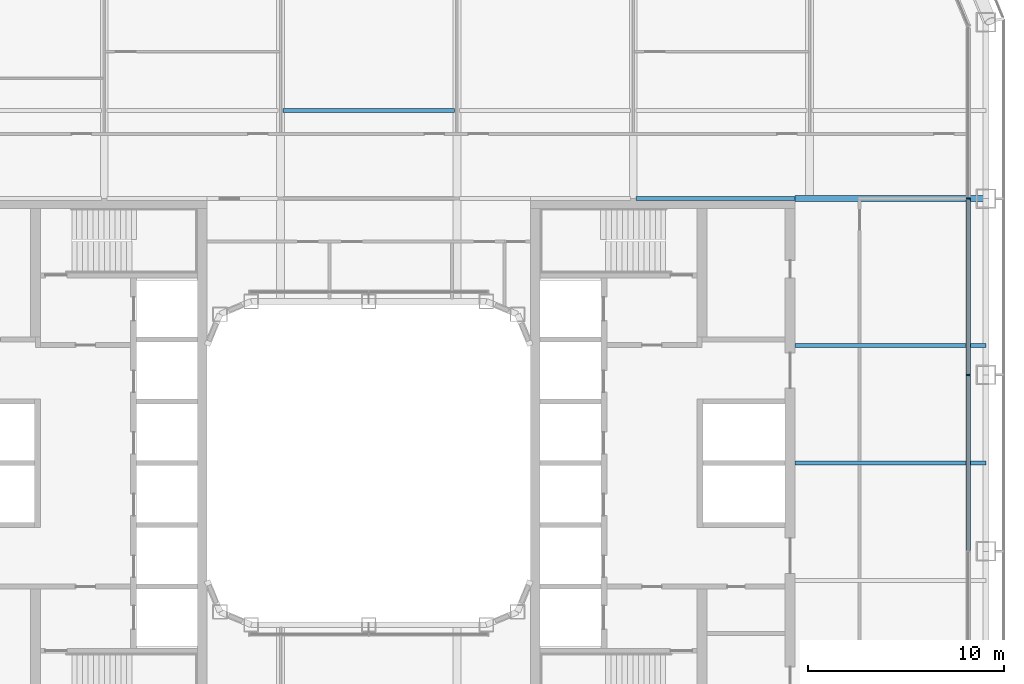
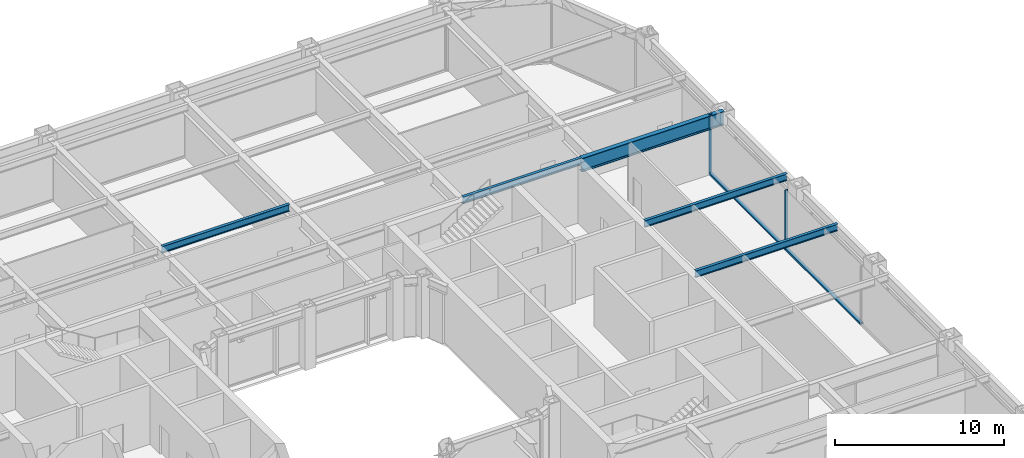
# One storey, part 9 of 27: 5 beams, 4 members, 1 element without a shape of its own.
"""IFC4 building model written with IfcOpenShell, lengths in metres."""

from ifc_helpers import new_model, si_unit, direction, frame, origin, origin_2d, place, context, subcontext, project, spatial, rectangle, i_section, extrude, material, layer, layer_set, material_profile, profile_set, type_object, element, aggregate, save


model = new_model("IFC4")

# Units and contexts
model_context = context("Model", 3, precision=1e-05, world=origin(), true_north=direction((0.0, 1.0)))
body_context = subcontext(model_context, "Body", "Model", "MODEL_VIEW")
ifc_project = project(units=[si_unit("LENGTHUNIT", "METRE"), si_unit("AREAUNIT", "SQUARE_METRE"), si_unit("VOLUMEUNIT", "CUBIC_METRE"), si_unit("PLANEANGLEUNIT", "RADIAN"), si_unit("MASSUNIT", "GRAM", prefix="KILO")], contexts=[model_context])

# Site, building, storey
site_placement = place(None, origin())
site = spatial("IfcSite", under=ifc_project, at=site_placement, CompositionType="ELEMENT")
building_placement = place(site_placement, origin())
building = spatial("IfcBuilding", under=site, at=building_placement, Name="Siwar Civic Tower", CompositionType="ELEMENT")
storey_placement = place(building_placement, frame((0.0, 0.0, 89.699951171875)))
storey = spatial("IfcBuildingStorey", under=building, at=storey_placement, Name="L19", CompositionType="ELEMENT", Elevation=89.699951171875)

# Curtain wall, members
ifc_material_1 = material(Name="Aluminium and glass", Category="aluminium")
ifc_layer = layer(ifc_material_1, 0.219970703125)
ifc_layer_set = layer_set([ifc_layer], Name="Aluminium and glass")
curtain_wall_type = type_object("IfcCurtainWallType", Name="ENV-CW-A", PredefinedType="NOTDEFINED", material=ifc_layer_set)
curtain_wall_placement = place(storey_placement, origin())
curtain_wall = element("IfcCurtainWall", 1, at=curtain_wall_placement, inside=storey, type_object=curtain_wall_type, Name="Curtain wall A E", PredefinedType="NOTDEFINED")
ifc_material_2 = material(Name="Aluminium 6063-T6", Category="aluminium")
ifc_material_profile_1 = material_profile(ifc_material_2, rectangle(XDim=0.219970703125, YDim=0.070068359375, at=origin_2d()), Name="AL 220x70")
ifc_profile_set_1 = profile_set([ifc_material_profile_1], Name="Aluminium 6063-T6")
member_type_1 = type_object("IfcMemberType", Name="ENV-MULLION-A", PredefinedType="MULLION", material=ifc_profile_set_1)
member_1_placement = place(storey_placement, frame((30.60009765625, 4.5, 0.0), z_axis=(0.0, 0.0, 1.0), x_axis=(-1.0, 0.0, 0.0)))
member_1 = element("IfcMember", 2, at=member_1_placement, type_object=member_type_1, Name="Mullion A E 4", PredefinedType="MULLION", context=body_context, shape_type="SweptSolid", body=[
    extrude(rectangle(XDim=0.219970703125, YDim=0.070068359375, at=origin_2d()), origin(), (0.0, 0.0, 1.0), 4.300048828125),
])
member_2_placement = place(storey_placement, frame((30.60009765625, 13.5, 0.0), z_axis=(0.0, 0.0, 1.0), x_axis=(-1.0, 0.0, 0.0)))
member_2 = element("IfcMember", 3, at=member_2_placement, type_object=member_type_1, Name="Mullion A E 5", PredefinedType="MULLION", context=body_context, shape_type="SweptSolid", body=[
    extrude(rectangle(XDim=0.219970703125, YDim=0.070068359375, at=origin_2d()), origin(), (0.0, 0.0, 1.0), 4.300048828125),
])
ifc_material_3 = material(Name="Aluminium 6063-T6", Category="aluminium")
ifc_material_profile_2 = material_profile(ifc_material_3, rectangle(XDim=0.219970703125, YDim=0.1201171875, at=origin_2d()), Name="AL 220x120")
ifc_profile_set_2 = profile_set([ifc_material_profile_2], Name="Aluminium 6063-T6")
member_type_2 = type_object("IfcMemberType", Name="ENV-TRANSOM-A", PredefinedType="USERDEFINED", material=ifc_profile_set_2)
member_3_placement = place(storey_placement, frame((30.60009765625, -4.465087890625, 0.06005859375), z_axis=(0.0, 1.0, 0.0), x_axis=(-1.0, 0.0, 0.0)))
member_3 = element("IfcMember", 4, at=member_3_placement, type_object=member_type_2, Name="Transom A E 3", ObjectType="TRANSOM", PredefinedType="USERDEFINED", context=body_context, shape_type="SweptSolid", body=[
    extrude(rectangle(XDim=0.219970703125, YDim=0.1201171875, at=origin_2d()), origin(), (0.0, 0.0, 1.0), 8.93017578125),
])
member_4_placement = place(storey_placement, frame((30.60009765625, 4.534912109375, 0.06005859375), z_axis=(0.0, 1.0, 0.0), x_axis=(-1.0, 0.0, 0.0)))
member_4 = element("IfcMember", 5, at=member_4_placement, type_object=member_type_2, Name="Transom A E 4", ObjectType="TRANSOM", PredefinedType="USERDEFINED", context=body_context, shape_type="SweptSolid", body=[
    extrude(rectangle(XDim=0.219970703125, YDim=0.1201171875, at=origin_2d()), origin(), (0.0, 0.0, 1.0), 8.93017578125),
])
aggregate(curtain_wall, [member_1, member_2, member_3, member_4])

# Beams
ifc_material_4 = material(Name="Steel S355", Category="steel")
ifc_material_profile_3 = material_profile(ifc_material_4, i_section(OverallWidth=0.199951171875, OverallDepth=0.5, WebThickness=0.01025390625, FlangeThickness=0.01611328125, FilletRadius=0.02099609375, at=origin_2d()), Name="IPE500")
ifc_profile_set_3 = profile_set([ifc_material_profile_3], Name="Steel S355")
beam_type_1 = type_object("IfcBeamType", Name="STR-FB-IPE500", PredefinedType="JOIST", material=ifc_profile_set_3)
for number, where, z_axis, x_axis, name in (
    (6, (21.75, 0.0, 4.050048828125), (1.0, 0.0, 0.0), (0.0, 1.0, 0.0), "L19/bm/F034"),
    (7, (21.75, 6.0, 4.050048828125), (1.0, 0.0, 0.0), (0.0, 1.0, 0.0), "L19/bm/F036"),
):
    element("IfcBeam", number, at=place(storey_placement, frame(where, z_axis=z_axis, x_axis=x_axis)), inside=storey, type_object=beam_type_1, Name=name, PredefinedType="JOIST", context=body_context, shape_type="SweptSolid", body=[
        extrude(i_section(OverallWidth=0.199951171875, OverallDepth=0.5, WebThickness=0.01025390625, FlangeThickness=0.01611328125, FilletRadius=0.02099609375, at=origin_2d()), origin(), (0.0, 0.0, 1.0), 9.75),
    ])
beam_1_placement = place(storey_placement, frame((13.6298828125, 13.5, 4.050048828125), z_axis=(1.0, 0.0, 0.0), x_axis=(0.0, 1.0, 0.0)))
element("IfcBeam", 8, at=beam_1_placement, inside=storey, type_object=beam_type_1, Name="L19/bm/F044", PredefinedType="JOIST", context=body_context, shape_type="SweptSolid", body=[
    extrude(i_section(OverallWidth=0.199951171875, OverallDepth=0.5, WebThickness=0.01025390625, FlangeThickness=0.01611328125, FilletRadius=0.02099609375, at=origin_2d()), origin(), (0.0, 0.0, 1.0), 8.1201171875),
])
beam_2_placement = place(storey_placement, frame((-4.3701171875, 18.0, 4.050048828125), z_axis=(1.0, 0.0, 0.0), x_axis=(0.0, 1.0, 0.0)))
element("IfcBeam", 9, at=beam_2_placement, inside=storey, type_object=beam_type_1, Name="L19/bm/F049", PredefinedType="JOIST", context=body_context, shape_type="SweptSolid", body=[
    extrude(i_section(OverallWidth=0.199951171875, OverallDepth=0.5, WebThickness=0.01025390625, FlangeThickness=0.01611328125, FilletRadius=0.02099609375, at=origin_2d()), origin(), (0.0, 0.0, 1.0), 8.740234375),
])
ifc_material_5 = material(Name="Steel S355", Category="steel")
ifc_material_profile_4 = material_profile(ifc_material_5, i_section(OverallWidth=0.300048828125, OverallDepth=1.0, WebThickness=0.01904296875, FlangeThickness=0.035888671875, FilletRadius=0.030029296875, at=origin_2d()), Name="HEB1000")
ifc_profile_set_4 = profile_set([ifc_material_profile_4], Name="Steel S355")
beam_type_2 = type_object("IfcBeamType", Name="STR-PG-HEB1000", PredefinedType="BEAM", material=ifc_profile_set_4)
beam_3_placement = place(storey_placement, frame((21.75, 13.5, 3.800048828125), z_axis=(1.0, 0.0, 0.0), x_axis=(0.0, 1.0, 0.0)))
element("IfcBeam", 10, at=beam_3_placement, inside=storey, type_object=beam_type_2, Name="L19/bm/F045", PredefinedType="BEAM", context=body_context, shape_type="SweptSolid", body=[
    extrude(i_section(OverallWidth=0.300048828125, OverallDepth=1.0, WebThickness=0.01904296875, FlangeThickness=0.035888671875, FilletRadius=0.030029296875, at=origin_2d()), origin(), (0.0, 0.0, 1.0), 9.75),
])

save(model, "model.ifc")
